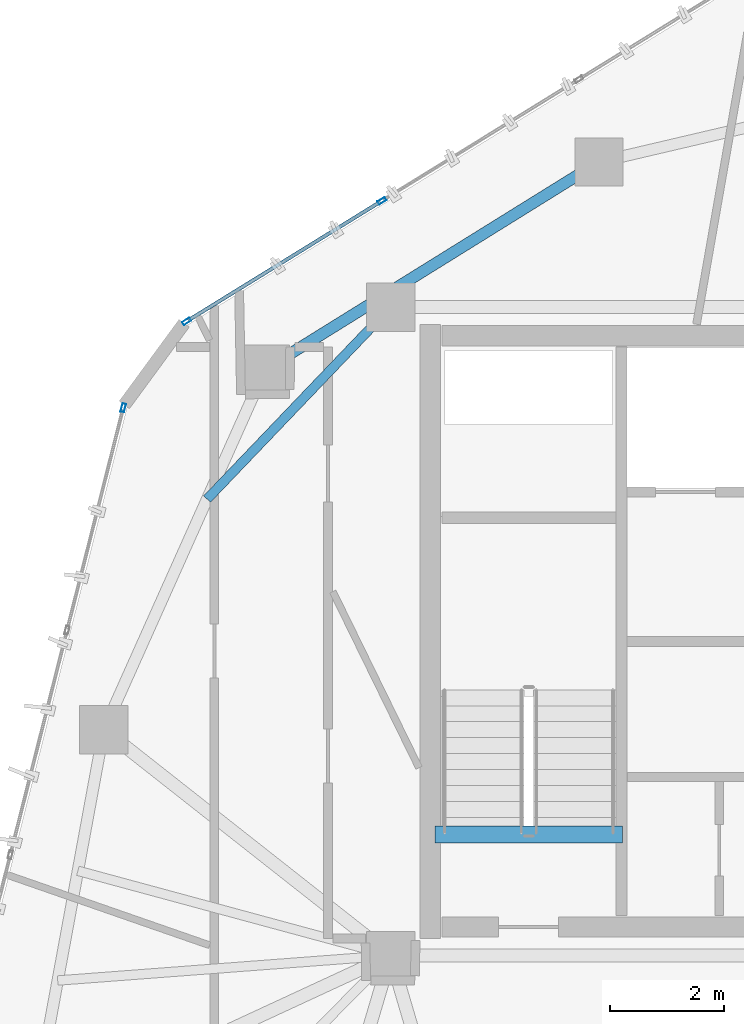
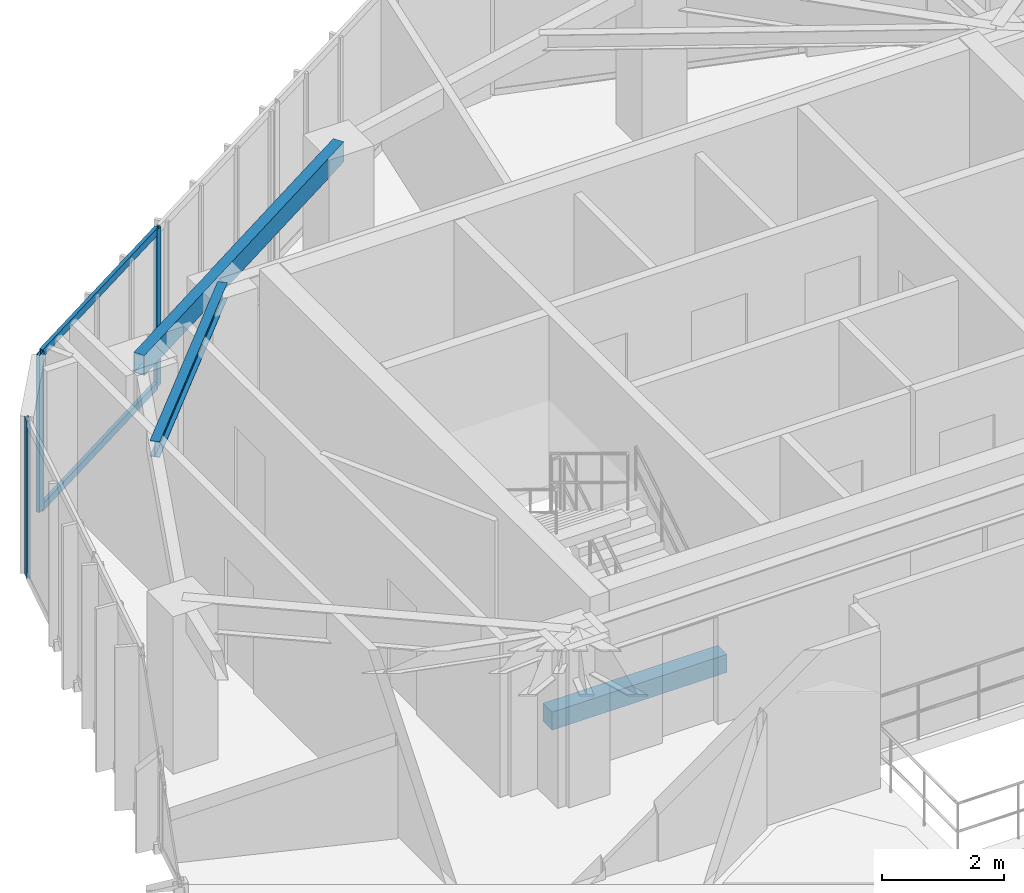
# One storey, part 9 of 20: 5 members, 3 beams, 2 elements without a shape of their own.
"""IFC4 building model written with IfcOpenShell, lengths in metres."""

import ifcopenshell
import ifcopenshell.guid

model = None  # the IFC model being written
_history = None  # IfcOwnerHistory: only IFC2X3 demands one
_inside = {}  # id of a spatial element -> (the spatial element, [elements in it])
_under = {}  # id of a project, library or spatial element -> (it, [spatial elements below it])
_declared = {}  # id of a project -> (the project, [libraries it declares])
_typed = {}  # id of a type object -> (the type object, [elements of that type])
_made_of = {}  # id of a material, layer set ... -> (it, [elements and type objects made of it])


def new_model(schema):
    """Start an empty IFC model of exactly this schema.

    Asked for "IFC4X3", IfcOpenShell would pick the latest addendum, in which some entities
    have other attributes; the version numbers below select the first issue.
    IFC2X3 requires an IfcOwnerHistory on every rooted entity: one is made here for all.
    """
    global model, _history
    if schema == "IFC4X3":
        model = ifcopenshell.file(schema_version=(4, 3, 0, 0))
    else:
        model = ifcopenshell.file(schema=schema)
    _inside.clear()
    _under.clear()
    _declared.clear()
    _typed.clear()
    _made_of.clear()
    _history = None
    if model.schema == "IFC2X3":
        org = make("IfcOrganization", Name="unknown")
        user = make(
            "IfcPersonAndOrganization",
            ThePerson=make("IfcPerson", FamilyName="unknown"),
            TheOrganization=org,
        )
        app = make(
            "IfcApplication",
            ApplicationDeveloper=org,
            Version="unknown",
            ApplicationFullName="unknown",
            ApplicationIdentifier="unknown",
        )
        _history = make(
            "IfcOwnerHistory",
            OwningUser=user,
            OwningApplication=app,
            ChangeAction="ADDED",
            CreationDate=0,
        )
    return model


def make(cls, **values):
    """One entity of the class cls with the attributes given. An attribute that is None is left unset."""
    return model.create_entity(
        cls, **{name: value for name, value in values.items() if value is not None}
    )


def rooted(cls, **values):
    """An entity with a GlobalId (a new one), such as an element, a storey or a relation."""
    return make(cls, GlobalId=ifcopenshell.guid.new(), OwnerHistory=_history, **values)


def si_unit(unit_type, name, prefix=None):
    """IfcSIUnit, for example si_unit("LENGTHUNIT", "METRE", prefix="MILLI")."""
    return make("IfcSIUnit", UnitType=unit_type, Prefix=prefix, Name=name)


def assignment(units):
    """IfcUnitAssignment: the units of a project."""
    return None if units is None else make("IfcUnitAssignment", Units=units)


def point(xyz):
    """IfcCartesianPoint."""
    return None if xyz is None else make("IfcCartesianPoint", Coordinates=xyz)


def direction(xyz):
    """IfcDirection."""
    return None if xyz is None else make("IfcDirection", DirectionRatios=xyz)


def frame(location, z_axis=None, x_axis=None):
    """IfcAxis2Placement3D, a coordinate frame: its origin and axes. An axis left out is left unset."""
    return make(
        "IfcAxis2Placement3D",
        Location=point(location),
        Axis=direction(z_axis),
        RefDirection=direction(x_axis),
    )


def frame_2d(location, x_axis=None):
    """IfcAxis2Placement2D, a coordinate frame in the plane: its origin and x axis."""
    return make(
        "IfcAxis2Placement2D", Location=point(location), RefDirection=direction(x_axis)
    )


def origin():
    """The frame at (0, 0, 0) with its axes left unset."""
    return frame((0.0, 0.0, 0.0))


def origin_2d():
    """The frame at (0, 0) in the plane with its x axis left unset."""
    return frame_2d((0.0, 0.0))


def place(relative_to, where):
    """IfcLocalPlacement: puts the frame where relative to a parent placement (None: the world)."""
    return make(
        "IfcLocalPlacement", PlacementRelTo=relative_to, RelativePlacement=where
    )


def context(
    kind, dimensions, precision=None, world=None, true_north=None, identifier=None
):
    """IfcGeometricRepresentationContext, for example the 3D "Model" context."""
    return make(
        "IfcGeometricRepresentationContext",
        ContextIdentifier=identifier,
        ContextType=kind,
        CoordinateSpaceDimension=dimensions,
        Precision=precision,
        WorldCoordinateSystem=world,
        TrueNorth=true_north,
    )


def subcontext(parent, identifier, kind, view, scale=None):
    """IfcGeometricRepresentationSubContext, for example "Body" below "Model"."""
    return make(
        "IfcGeometricRepresentationSubContext",
        ContextIdentifier=identifier,
        ContextType=kind,
        ParentContext=parent,
        TargetScale=scale,
        TargetView=view,
    )


def project(units=None, contexts=None):
    """IfcProject with its units and contexts."""
    return rooted(
        "IfcProject",
        Name="project",
        RepresentationContexts=contexts,
        UnitsInContext=assignment(units),
    )


def spatial(cls, under=None, at=None, **own):
    """A site, building, storey or space (cls), placed at a placement, below another one or the project."""
    s = rooted(cls, ObjectPlacement=at, **own)
    if under is not None:
        _under.setdefault(under.id(), (under, []))[1].append(s)
    return s


def profile(cls, at=None, kind="AREA", **sizes):
    """A parametric profile (cls). Its sizes go by their IFC names, for example OverallWidth=200.0."""
    return make(cls, ProfileType=kind, Position=at, **sizes)


def rectangle(**sizes):
    """IfcRectangleProfileDef."""
    return profile("IfcRectangleProfileDef", **sizes)


def hollow_rectangle(**sizes):
    """IfcRectangleHollowProfileDef."""
    return profile("IfcRectangleHollowProfileDef", **sizes)


def i_section(**sizes):
    """IfcIShapeProfileDef."""
    return profile("IfcIShapeProfileDef", **sizes)


def extrude(swept, where, along, depth):
    """IfcExtrudedAreaSolid: the profile swept, set in the frame where, extruded along a direction by depth."""
    return make(
        "IfcExtrudedAreaSolid",
        SweptArea=swept,
        Position=where,
        ExtrudedDirection=direction(along),
        Depth=depth,
    )


def shape(context_of_items, identifier, shape_type, items):
    """IfcShapeRepresentation: the items that make up one representation, for example the "Body"."""
    return make(
        "IfcShapeRepresentation",
        ContextOfItems=context_of_items,
        RepresentationIdentifier=identifier,
        RepresentationType=shape_type,
        Items=items,
    )


def source(mapping_origin, context_of_items, identifier, shape_type, items):
    """IfcRepresentationMap: a shape defined once, which mapped items show again and again."""
    return make(
        "IfcRepresentationMap",
        MappingOrigin=mapping_origin,
        MappedRepresentation=shape(context_of_items, identifier, shape_type, items),
    )


def transform(
    local_origin,
    x_axis=None,
    y_axis=None,
    z_axis=None,
    scale=None,
    scale2=None,
    scale3=None,
    uniform=True,
):
    """IfcCartesianTransformationOperator3D, or its non-uniform kind. x_axis, y_axis, z_axis: its Axis1, 2, 3."""
    if uniform:
        return make(
            "IfcCartesianTransformationOperator3D",
            Axis1=direction(x_axis),
            Axis2=direction(y_axis),
            LocalOrigin=point(local_origin),
            Scale=scale,
            Axis3=direction(z_axis),
        )
    return make(
        "IfcCartesianTransformationOperator3DnonUniform",
        Axis1=direction(x_axis),
        Axis2=direction(y_axis),
        LocalOrigin=point(local_origin),
        Scale=scale,
        Axis3=direction(z_axis),
        Scale2=scale2,
        Scale3=scale3,
    )


def mapped(mapping_source, mapping_target):
    """IfcMappedItem: shows the shape of a source again, moved by a transform."""
    return make(
        "IfcMappedItem", MappingSource=mapping_source, MappingTarget=mapping_target
    )


def material(Name=None, Category=None):
    """IfcMaterial."""
    return make("IfcMaterial", Name=Name, Category=Category)


def layer(
    of_material, thickness, ventilated=None, Name=None, Category=None, Priority=None
):
    """IfcMaterialLayer: one layer of a wall or slab, of a material (None: an air gap)."""
    return make(
        "IfcMaterialLayer",
        Material=of_material,
        LayerThickness=thickness,
        IsVentilated=ventilated,
        Name=Name,
        Category=Category,
        Priority=Priority,
    )


def layer_set(layers, Name=None):
    """IfcMaterialLayerSet."""
    return make("IfcMaterialLayerSet", MaterialLayers=layers, LayerSetName=Name)


def material_profile(
    of_material, cross_section, Name=None, Category=None, Priority=None
):
    """IfcMaterialProfile: a cross section and its material."""
    return make(
        "IfcMaterialProfile",
        Name=Name,
        Material=of_material,
        Profile=cross_section,
        Priority=Priority,
        Category=Category,
    )


def profile_set(profiles, Name=None, composite=None):
    """IfcMaterialProfileSet."""
    return make(
        "IfcMaterialProfileSet",
        Name=Name,
        MaterialProfiles=profiles,
        CompositeProfile=composite,
    )


def made_of(thing, what):
    """Note that an element or type object is made of a material, layer set ...; save() writes the relation."""
    if what is not None:
        _made_of.setdefault(what.id(), (what, []))[1].append(thing)
    return thing


def type_object(cls, material=None, **own):
    """A type object (cls), such as IfcWallType, which elements share."""
    return made_of(rooted(cls, **own), material)


def type_shapes(of_type, sources):
    """Give a type object the sources (RepresentationMaps) that its elements show as mapped items."""
    of_type.RepresentationMaps = sources


def element(
    cls,
    number,
    at=None,
    inside=None,
    cuts=None,
    type_object=None,
    material=None,
    context=None,
    identifier="Body",
    shape_type=None,
    held_by="IfcProductDefinitionShape",
    body=None,
    shapes=None,
    **own,
):
    """One element of the class cls, such as IfcWall. Its Tag is "e" and its number.

    at: its placement. inside: the storey or other place that contains it. cuts: it is an
    opening in that element (IfcRelVoidsElement). A single representation is given by context,
    identifier, shape_type and body (its items); several are given by shapes. held_by: the class
    of the entity that holds the representations. save() writes the other relations.
    """
    e = rooted(cls, Tag="e%d" % number, ObjectPlacement=at, **own)
    if body is not None:
        shapes = [shape(context, identifier, shape_type, body)]
    if shapes is not None:
        e.Representation = make(held_by, Representations=shapes)
    if inside is not None:
        _inside.setdefault(inside.id(), (inside, []))[1].append(e)
    if cuts is not None:
        rooted(
            "IfcRelVoidsElement", RelatingBuildingElement=cuts, RelatedOpeningElement=e
        )
    if type_object is not None:
        _typed.setdefault(type_object.id(), (type_object, []))[1].append(e)
    return made_of(e, material)


def aggregate(whole, parts):
    """IfcRelAggregates: a whole, such as a stair, and the parts it consists of."""
    return rooted("IfcRelAggregates", RelatingObject=whole, RelatedObjects=parts)


def save(model, path):
    """Write the relations noted so far, then the file.

    IfcRelAggregates (storeys below a building ...), IfcRelContainedInSpatialStructure (elements
    in a storey), IfcRelDefinesByType, IfcRelAssociatesMaterial and IfcRelDeclares: one each for
    every whole, place, type object, material and project.
    """
    for whole, parts in _under.values():
        aggregate(whole, parts)
    for where, things in _inside.values():
        rooted(
            "IfcRelContainedInSpatialStructure",
            RelatedElements=things,
            RelatingStructure=where,
        )
    for kind, things in _typed.values():
        rooted("IfcRelDefinesByType", RelatedObjects=things, RelatingType=kind)
    for what, things in _made_of.values():
        rooted("IfcRelAssociatesMaterial", RelatedObjects=things, RelatingMaterial=what)
    for by, libraries in _declared.values():
        rooted("IfcRelDeclares", RelatingContext=by, RelatedDefinitions=libraries)
    model.write(path)


model = new_model("IFC4")

# Units and contexts
model_context = context("Model", 3, precision=1e-05, world=origin(), true_north=direction((0.0, 1.0)))
body_context = subcontext(model_context, "Body", "Model", "MODEL_VIEW")
ifc_project = project(units=[si_unit("LENGTHUNIT", "METRE"), si_unit("AREAUNIT", "SQUARE_METRE"), si_unit("VOLUMEUNIT", "CUBIC_METRE"), si_unit("PLANEANGLEUNIT", "RADIAN"), si_unit("MASSUNIT", "GRAM", prefix="KILO")], contexts=[model_context])

# Site, building, storey
site_placement = place(None, origin())
site = spatial("IfcSite", under=ifc_project, at=site_placement, CompositionType="ELEMENT")
building_placement = place(site_placement, origin())
building = spatial("IfcBuilding", under=site, at=building_placement, Name="Talar Marvaseh", CompositionType="ELEMENT")
storey_placement = place(building_placement, frame((0.0, 0.0, 251.0)))
storey = spatial("IfcBuildingStorey", under=building, at=storey_placement, Name="L66", CompositionType="ELEMENT", Elevation=251.0)

# Beams
ifc_material_1 = material(Name="Concrete C40/50", Category="concrete")
ifc_material_profile_1 = material_profile(ifc_material_1, rectangle(XDim=0.300048828125, YDim=0.360107421875, at=origin_2d()), Name="RC300x360")
ifc_profile_set_1 = profile_set([ifc_material_profile_1], Name="Concrete C40/50")
beam_type_1 = type_object("IfcBeamType", Name="Concrete Stair Landing Trimmer Beam RC300x360", PredefinedType="SPANDREL", material=ifc_profile_set_1)
beam_1_placement = place(storey_placement, frame((22.780029296875, 27.6298828125, -0.179931640625), z_axis=(-1.0, 0.0, 0.0), x_axis=(0.0, -1.0, 0.0)))
element("IfcBeam", 1, at=beam_1_placement, inside=storey, type_object=beam_type_1, Name="L66 ST-1 Stair Nosing Trimmer Beam", PredefinedType="SPANDREL", context=body_context, shape_type="SweptSolid", body=[
    extrude(rectangle(XDim=0.300048828125, YDim=0.360107421875, at=origin_2d()), origin(), (0.0, 0.0, 1.0), 3.300048828125),
])
ifc_material_2 = material(Name="Steel S355", Category="steel")
ifc_material_profile_2 = material_profile(ifc_material_2, hollow_rectangle(XDim=0.199951171875, YDim=0.39990234375, WallThickness=0.013916015625, at=origin_2d()), Name="RHS400x200x14")
ifc_profile_set_2 = profile_set([ifc_material_profile_2], Name="Steel S355")
beam_type_2 = type_object("IfcBeamType", Name="Zone 3 Perimeter Spandrel Beam RHS400x200x14", PredefinedType="SPANDREL", material=ifc_profile_set_2)
beam_2_placement = place(storey_placement, frame((16.493896484375, 35.806884765625, 2.93994140625), z_axis=(0.849439811678, 0.527685518407, 0.0), x_axis=(-0.527685518407, 0.849439811678, 0.0)))
element("IfcBeam", 2, at=beam_2_placement, inside=storey, type_object=beam_type_2, Name="L66 Zone 3 Perimeter Spandrel Beam RHS400x200x14", PredefinedType="SPANDREL", context=body_context, shape_type="SweptSolid", body=[
    extrude(hollow_rectangle(XDim=0.199951171875, YDim=0.39990234375, WallThickness=0.013916015625, at=origin_2d()), origin(), (0.0, 0.0, 1.0), 6.91162109375),
])
ifc_material_profile_3 = material_profile(ifc_material_2, i_section(OverallWidth=0.166015625, OverallDepth=0.31298828125, WebThickness=0.006591796875, FlangeThickness=0.01123046875, at=origin_2d()), Name="W310x45")
ifc_profile_set_3 = profile_set([ifc_material_profile_3], Name="Steel S355")
beam_type_3 = type_object("IfcBeamType", Name="Zone 3 Secondary Floor Joist W310x45", PredefinedType="JOIST", material=ifc_profile_set_3)
beam_3_placement = place(storey_placement, frame((15.472900390625, 33.525634765625, 2.9833984375), z_axis=(0.691165656787, 0.722696364235, 0.0), x_axis=(-0.722696364235, 0.691165656787, 0.0)))
element("IfcBeam", 3, at=beam_3_placement, inside=storey, type_object=beam_type_3, Name="L66 Zone 3 Secondary Floor Joist W310x45", PredefinedType="JOIST", context=body_context, shape_type="SweptSolid", body=[
    extrude(i_section(OverallWidth=0.166015625, OverallDepth=0.31298828125, WebThickness=0.006591796875, FlangeThickness=0.01123046875, at=origin_2d()), origin(), (0.0, 0.0, 1.0), 4.6689453125),
])

# Curtain wall, member
ifc_material_3 = material(Name="Architectural Aluminium", Category="aluminium")
ifc_layer = layer(ifc_material_3, 0.179931640625)
ifc_layer_set = layer_set([ifc_layer], Name="Architectural Aluminium")
curtain_wall_type = type_object("IfcCurtainWallType", Name="Unitised High-Wind Sky Curtain Wall Z4", PredefinedType="NOTDEFINED", material=ifc_layer_set)
curtain_wall_1_placement = place(storey_placement, origin())
curtain_wall_1 = element("IfcCurtainWall", 4, at=curtain_wall_1_placement, inside=storey, type_object=curtain_wall_type, Name="L66 Unitised High-Wind Sky Curtain Wall Z4", PredefinedType="NOTDEFINED")
ifc_material_profile_4 = material_profile(ifc_material_3, hollow_rectangle(XDim=0.06494140625, YDim=0.14990234375, WallThickness=0.00390625, at=origin_2d()), Name="RHS150x65x4")
ifc_profile_set_4 = profile_set([ifc_material_profile_4], Name="Architectural Aluminium")
member_type_1 = type_object("IfcMemberType", Name="Unitised Curtain Wall Slim Mullion RHS150x65x4", PredefinedType="MULLION", material=ifc_profile_set_4)
shared_shape_1 = source(origin(), body_context, "Body", "SweptSolid", [
    extrude(hollow_rectangle(XDim=0.06494140625, YDim=0.14990234375, WallThickness=0.00390625, at=origin_2d()), origin(), (0.0, 0.0, 1.0), 3.139892578125),
])
type_shapes(member_type_1, [shared_shape_1])
member_1_placement = place(storey_placement, frame((13.998779296875, 35.13037109375, 0.0), z_axis=(0.0, 0.0, 1.0), x_axis=(-0.969522501223, 0.245002284933, 0.0)))
member_1 = element("IfcMember", 5, at=member_1_placement, type_object=member_type_1, Name="CW-Z4 mullion 4", PredefinedType="MULLION", context=body_context, shape_type="MappedRepresentation", body=[
    mapped(shared_shape_1, transform((0.0, 0.0, 0.0), x_axis=(1.0, 0.0, 0.0), y_axis=(0.0, 1.0, 0.0), z_axis=(0.0, 0.0, 1.0), scale=1.0)),
])
aggregate(curtain_wall_1, [member_1])

# Curtain wall, members
curtain_wall_2_placement = place(storey_placement, origin())
curtain_wall_2 = element("IfcCurtainWall", 6, at=curtain_wall_2_placement, inside=storey, type_object=curtain_wall_type, Name="L66 Unitised High-Wind Sky Curtain Wall Z4", PredefinedType="NOTDEFINED")
member_2_placement = place(storey_placement, frame((15.114013671875, 36.6513671875, 0.0), z_axis=(0.0, 0.0, 1.0), x_axis=(-0.52520226259, 0.850977428238, 0.0)))
member_2 = element("IfcMember", 7, at=member_2_placement, type_object=member_type_1, Name="CW-Z4 mullion 1", PredefinedType="MULLION", context=body_context, shape_type="MappedRepresentation", body=[
    mapped(shared_shape_1, transform((0.0, 0.0, 0.0), x_axis=(1.0, 0.0, 0.0), y_axis=(0.0, 1.0, 0.0), z_axis=(0.0, 0.0, 1.0), scale=1.0)),
])
member_3_placement = place(storey_placement, frame((18.548583984375, 38.77099609375, 0.0), z_axis=(0.0, 0.0, 1.0), x_axis=(-0.52520226259, 0.850977428238, 0.0)))
member_3 = element("IfcMember", 8, at=member_3_placement, type_object=member_type_1, Name="CW-Z4 mullion 2", PredefinedType="MULLION", context=body_context, shape_type="MappedRepresentation", body=[
    mapped(shared_shape_1, transform((0.0, 0.0, 0.0), x_axis=(1.0, 0.0, 0.0), y_axis=(0.0, 1.0, 0.0), z_axis=(0.0, 0.0, 1.0), scale=1.0)),
])
ifc_material_profile_5 = material_profile(ifc_material_3, hollow_rectangle(XDim=0.06494140625, YDim=0.14990234375, WallThickness=0.00390625, at=origin_2d()), Name="RHS150x65x4")
ifc_profile_set_5 = profile_set([ifc_material_profile_5], Name="Architectural Aluminium")
member_type_2 = type_object("IfcMemberType", Name="Unitised Curtain Wall Slim Transom RHS150x65x4", PredefinedType="USERDEFINED", material=ifc_profile_set_5)
shared_shape_2 = source(origin(), body_context, "Body", "SweptSolid", [
    extrude(hollow_rectangle(XDim=0.06494140625, YDim=0.14990234375, WallThickness=0.00390625, at=origin_2d()), origin(), (0.0, 0.0, 1.0), 3.97119140625),
])
type_shapes(member_type_2, [shared_shape_2])
member_4_placement = place(storey_placement, frame((15.1416015625, 36.66845703125, 0.032470703125), z_axis=(0.851003275677, 0.525160380063, 0.0), x_axis=(-0.525160380063, 0.851003275677, 0.0)))
member_4 = element("IfcMember", 9, at=member_4_placement, type_object=member_type_2, Name="CW-Z4 transom 1.1", ObjectType="TRANSOM", PredefinedType="USERDEFINED", context=body_context, shape_type="MappedRepresentation", body=[
    mapped(shared_shape_2, transform((0.0, 0.0, 0.0), x_axis=(1.0, 0.0, 0.0), y_axis=(0.0, 1.0, 0.0), z_axis=(0.0, 0.0, 1.0), scale=1.0)),
])
member_5_placement = place(storey_placement, frame((15.1416015625, 36.66845703125, 3.107421875), z_axis=(0.851003275677, 0.525160380063, 0.0), x_axis=(-0.525160380063, 0.851003275677, 0.0)))
member_5 = element("IfcMember", 10, at=member_5_placement, type_object=member_type_2, Name="CW-Z4 transom 1.2", ObjectType="TRANSOM", PredefinedType="USERDEFINED", context=body_context, shape_type="MappedRepresentation", body=[
    mapped(shared_shape_2, transform((0.0, 0.0, 0.0), x_axis=(1.0, 0.0, 0.0), y_axis=(0.0, 1.0, 0.0), z_axis=(0.0, 0.0, 1.0), scale=1.0)),
])
aggregate(curtain_wall_2, [member_2, member_3, member_4, member_5])

save(model, "model.ifc")
